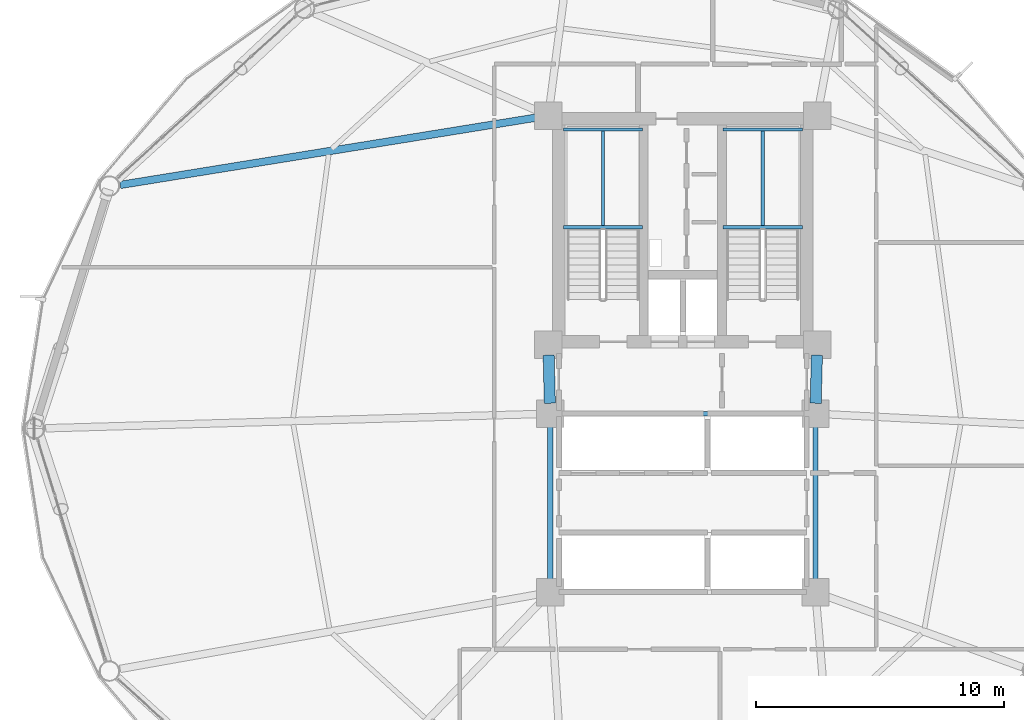
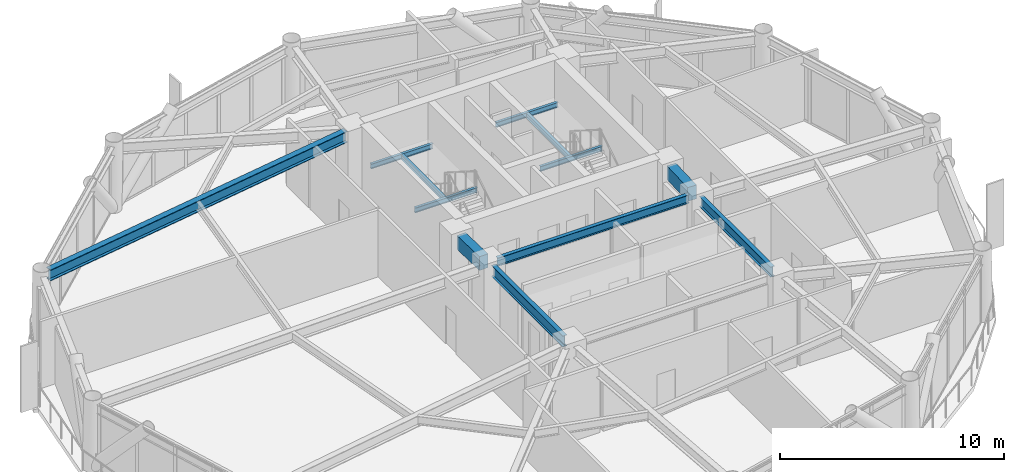
# One storey, part 10 of 25: 12 beams.
"""IFC4 building model written with IfcOpenShell, lengths in metres."""

from ifc_helpers import new_model, si_unit, direction, frame, origin, origin_2d, place, context, subcontext, project, spatial, rectangle, i_section, extrude, material, material_profile, profile_set, type_object, element, save


model = new_model("IFC4")

# Units and contexts
model_context = context("Model", 3, precision=1e-05, world=origin(), true_north=direction((0.0, 1.0)))
body_context = subcontext(model_context, "Body", "Model", "MODEL_VIEW")
ifc_project = project(units=[si_unit("LENGTHUNIT", "METRE"), si_unit("AREAUNIT", "SQUARE_METRE"), si_unit("VOLUMEUNIT", "CUBIC_METRE"), si_unit("PLANEANGLEUNIT", "RADIAN"), si_unit("MASSUNIT", "GRAM", prefix="KILO")], contexts=[model_context])

# Site, building, storey
site_placement = place(None, origin())
site = spatial("IfcSite", under=ifc_project, at=site_placement, CompositionType="ELEMENT")
building_placement = place(site_placement, origin())
building = spatial("IfcBuilding", under=site, at=building_placement, Name="Varnakorn Sky Granary", CompositionType="ELEMENT")
storey_placement = place(building_placement, frame((0.0, 0.0, 99.300048828125)))
storey = spatial("IfcBuildingStorey", under=building, at=storey_placement, Name="L24", CompositionType="ELEMENT", Elevation=99.300048828125)

# Beams
ifc_material_1 = material(Name="Steel S355JR", Category="steel")
ifc_material_profile_1 = material_profile(ifc_material_1, i_section(OverallWidth=0.2099609375, OverallDepth=0.550048828125, WebThickness=0.010986328125, FlangeThickness=0.01708984375, at=origin_2d()), Name="IPE 550")
ifc_profile_set_1 = profile_set([ifc_material_profile_1], Name="Steel S355JR")
beam_type_1 = type_object("IfcBeamType", Name="BM-JST-550", PredefinedType="JOIST", material=ifc_profile_set_1)
beam_1_placement = place(storey_placement, frame((8.35009765625, 0.179931640625, 3.364990234375), z_axis=(0.0, -1.0, 0.0), x_axis=(1.0, 0.0, 0.0)))
element("IfcBeam", 1, at=beam_1_placement, inside=storey, type_object=beam_type_1, Name="Core Spine Framing Beam 4 L24", PredefinedType="JOIST", context=body_context, shape_type="SweptSolid", body=[
    extrude(i_section(OverallWidth=0.2099609375, OverallDepth=0.550048828125, WebThickness=0.010986328125, FlangeThickness=0.01708984375, at=origin_2d()), origin(), (0.0, 0.0, 1.0), 6.35986328125),
])
ifc_material_profile_2 = material_profile(ifc_material_1, i_section(OverallWidth=0.219970703125, OverallDepth=0.60009765625, WebThickness=0.011962890625, FlangeThickness=0.01904296875, at=origin_2d()), Name="IPE 600")
ifc_profile_set_2 = profile_set([ifc_material_profile_2], Name="Steel S355JR")
beam_type_2 = type_object("IfcBeamType", Name="BM-JST-600", PredefinedType="JOIST", material=ifc_profile_set_2)
beam_2_placement = place(storey_placement, frame((-2.35009765625, 0.179931640625, 3.33984375), z_axis=(0.0, -1.0, 0.0), x_axis=(1.0, 0.0, 0.0)))
element("IfcBeam", 2, at=beam_2_placement, inside=storey, type_object=beam_type_2, Name="Core Spine Framing Beam 3 L24", PredefinedType="JOIST", context=body_context, shape_type="SweptSolid", body=[
    extrude(i_section(OverallWidth=0.219970703125, OverallDepth=0.60009765625, WebThickness=0.011962890625, FlangeThickness=0.01904296875, at=origin_2d()), origin(), (0.0, 0.0, 1.0), 6.35986328125),
])
ifc_material_2 = material(Name="Concrete C60/75", Category="concrete")
ifc_material_profile_3 = material_profile(ifc_material_2, rectangle(XDim=0.449951171875, YDim=0.75, at=origin_2d()), Name="RC 450x750")
ifc_profile_set_3 = profile_set([ifc_material_profile_3], Name="Concrete C60/75")
beam_type_3 = type_object("IfcBeamType", Name="BM-LIN-750", PredefinedType="LINTEL", material=ifc_profile_set_3)
for number, where, z_axis, x_axis, name in (
    (3, (-2.409423828125, 2.960205078125, 3.264892578125), (0.025158763514, -0.999683468213, 0.0), (0.999683468213, 0.025158763514, 0.0), "Core Spine Framing Beam 1 L24"),
    (4, (8.409423828125, 2.960205078125, 3.264892578125), (-0.025158763514, -0.999683468213, 0.0), (0.999683468213, -0.025158763514, 0.0), "Core Spine Framing Beam 2 L24"),
):
    element("IfcBeam", number, at=place(storey_placement, frame(where, z_axis=z_axis, x_axis=x_axis)), inside=storey, type_object=beam_type_3, Name=name, PredefinedType="LINTEL", context=body_context, shape_type="SweptSolid", body=[
        extrude(rectangle(XDim=0.449951171875, YDim=0.75, at=origin_2d()), origin(), (0.0, 0.0, 1.0), 1.94091796875),
    ])
ifc_material_profile_4 = material_profile(ifc_material_1, i_section(OverallWidth=0.135009765625, OverallDepth=0.27001953125, WebThickness=0.006591796875, FlangeThickness=0.01025390625, at=origin_2d()), Name="IPE 270")
ifc_profile_set_4 = profile_set([ifc_material_profile_4], Name="Steel S355JR")
beam_type_4 = type_object("IfcBeamType", Name="BM-LND-270", PredefinedType="BEAM", material=ifc_profile_set_4)
for number, where, z_axis, x_axis, name in (
    (5, (-1.820068359375, 8.1201171875, 1.614990234375), (1.0, 0.0, 0.0), (0.0, 1.0, 0.0), "Stair ST-1 Landing Trimmer Beam A L24-1"),
    (6, (-1.820068359375, 12.06005859375, 1.614990234375), (1.0, 0.0, 0.0), (0.0, 1.0, 0.0), "Stair ST-1 Landing Trimmer Beam B L24-1"),
):
    element("IfcBeam", number, at=place(storey_placement, frame(where, z_axis=z_axis, x_axis=x_axis)), inside=storey, type_object=beam_type_4, Name=name, PredefinedType="BEAM", context=body_context, shape_type="SweptSolid", body=[
        extrude(i_section(OverallWidth=0.135009765625, OverallDepth=0.27001953125, WebThickness=0.006591796875, FlangeThickness=0.01025390625, at=origin_2d()), origin(), (0.0, 0.0, 1.0), 3.199951171875),
    ])
beam_3_placement = place(storey_placement, frame((-0.219970703125, 8.1201171875, 1.614990234375), z_axis=(0.0, 1.0, 0.0), x_axis=(-1.0, 0.0, 0.0)))
element("IfcBeam", 7, at=beam_3_placement, inside=storey, type_object=beam_type_4, Name="Stair ST-1 Landing Cross Beam C L24-1", PredefinedType="BEAM", context=body_context, shape_type="SweptSolid", body=[
    extrude(i_section(OverallWidth=0.135009765625, OverallDepth=0.27001953125, WebThickness=0.006591796875, FlangeThickness=0.01025390625, at=origin_2d()), origin(), (0.0, 0.0, 1.0), 3.93994140625),
])
for number, where, z_axis, x_axis, name in (
    (8, (4.6201171875, 8.1201171875, 1.614990234375), (1.0, 0.0, 0.0), (0.0, 1.0, 0.0), "Stair ST-2 Landing Trimmer Beam A L24-1"),
    (9, (4.6201171875, 12.06005859375, 1.614990234375), (1.0, 0.0, 0.0), (0.0, 1.0, 0.0), "Stair ST-2 Landing Trimmer Beam B L24-1"),
):
    element("IfcBeam", number, at=place(storey_placement, frame(where, z_axis=z_axis, x_axis=x_axis)), inside=storey, type_object=beam_type_4, Name=name, PredefinedType="BEAM", context=body_context, shape_type="SweptSolid", body=[
        extrude(i_section(OverallWidth=0.135009765625, OverallDepth=0.27001953125, WebThickness=0.006591796875, FlangeThickness=0.01025390625, at=origin_2d()), origin(), (0.0, 0.0, 1.0), 3.199951171875),
    ])
beam_4_placement = place(storey_placement, frame((6.219970703125, 8.1201171875, 1.614990234375), z_axis=(0.0, 1.0, 0.0), x_axis=(-1.0, 0.0, 0.0)))
element("IfcBeam", 10, at=beam_4_placement, inside=storey, type_object=beam_type_4, Name="Stair ST-2 Landing Cross Beam C L24-1", PredefinedType="BEAM", context=body_context, shape_type="SweptSolid", body=[
    extrude(i_section(OverallWidth=0.135009765625, OverallDepth=0.27001953125, WebThickness=0.006591796875, FlangeThickness=0.01025390625, at=origin_2d()), origin(), (0.0, 0.0, 1.0), 3.93994140625),
])
ifc_material_profile_5 = material_profile(ifc_material_1, i_section(OverallWidth=0.300048828125, OverallDepth=0.60009765625, WebThickness=0.015380859375, FlangeThickness=0.030029296875, at=origin_2d()), Name="HE 600 B")
ifc_profile_set_5 = profile_set([ifc_material_profile_5], Name="Steel S355JR")
beam_type_5 = type_object("IfcBeamType", Name="BM-RAD-Z2", PredefinedType="BEAM", material=ifc_profile_set_5)
beam_5_placement = place(storey_placement, frame((-2.834716796875, 12.552978515625, 3.33984375), z_axis=(-0.987153372048, -0.15977553021, 0.0), x_axis=(0.15977553021, -0.987153372048, 0.0)))
element("IfcBeam", 11, at=beam_5_placement, inside=storey, type_object=beam_type_5, Name="Radial Floor Girder RG06 L24", PredefinedType="BEAM", context=body_context, shape_type="SweptSolid", body=[
    extrude(i_section(OverallWidth=0.300048828125, OverallDepth=0.60009765625, WebThickness=0.015380859375, FlangeThickness=0.030029296875, at=origin_2d()), origin(), (0.0, 0.0, 1.0), 17.072509765625),
])
ifc_material_profile_6 = material_profile(ifc_material_1, i_section(OverallWidth=0.18994140625, OverallDepth=0.449951171875, WebThickness=0.009521484375, FlangeThickness=0.0146484375, at=origin_2d()), Name="IPE 450")
ifc_profile_set_6 = profile_set([ifc_material_profile_6], Name="Steel S355JR")
beam_type_6 = type_object("IfcBeamType", Name="BM-SEC-Z2", PredefinedType="BEAM", material=ifc_profile_set_6)
beam_6_placement = place(storey_placement, frame((-1.929931640625, 0.60009765625, 3.4150390625), z_axis=(1.0, 0.0, 0.0), x_axis=(0.0, 1.0, 0.0)))
element("IfcBeam", 12, at=beam_6_placement, inside=storey, type_object=beam_type_6, Name="Core Spine Framing Beam 5 L24", PredefinedType="BEAM", context=body_context, shape_type="SweptSolid", body=[
    extrude(i_section(OverallWidth=0.18994140625, OverallDepth=0.449951171875, WebThickness=0.009521484375, FlangeThickness=0.0146484375, at=origin_2d()), origin(), (0.0, 0.0, 1.0), 9.85986328125),
])

save(model, "model.ifc")
